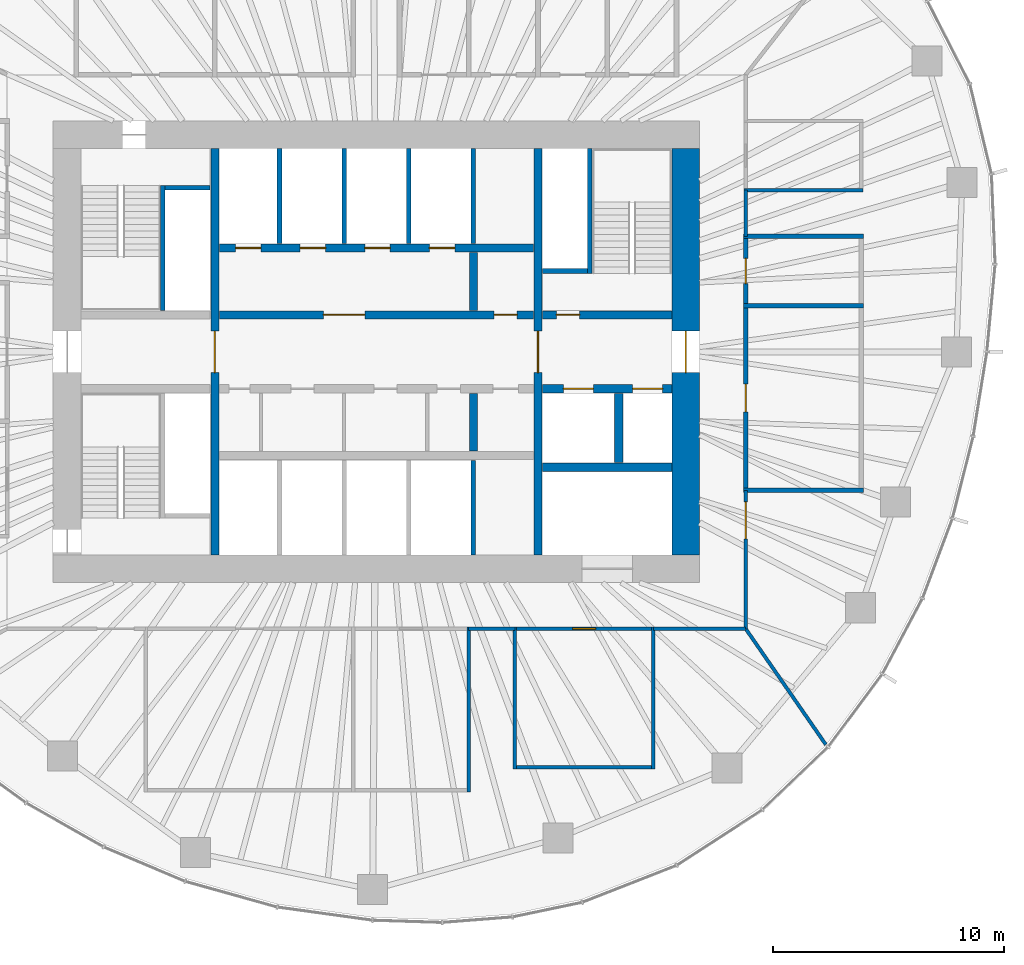
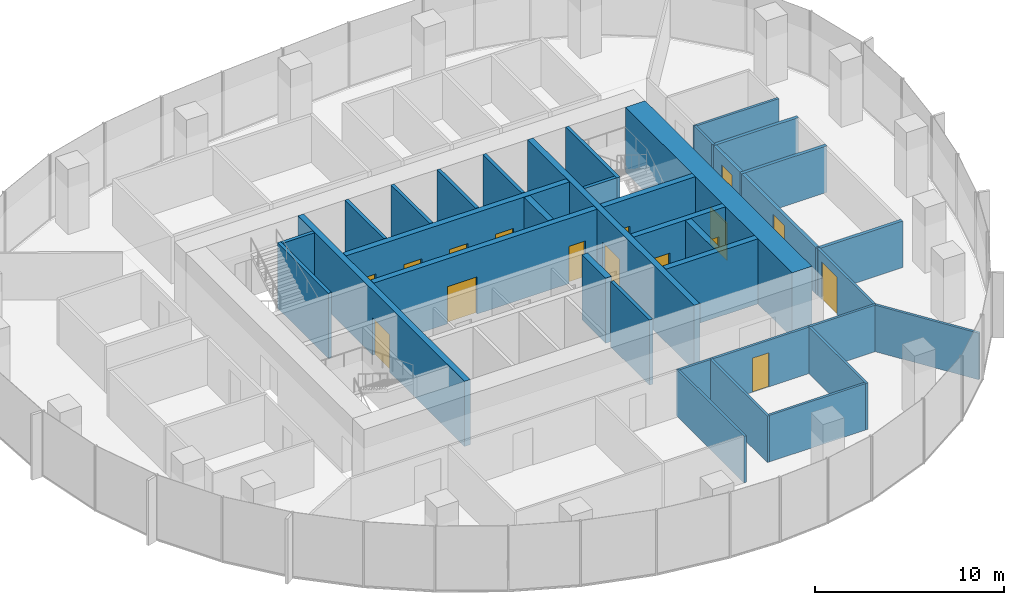
# One storey, part 9 of 11: 36 walls, 16 doors, 16 openings.
"""IFC4 building model written with IfcOpenShell, lengths in metres."""

from ifc_helpers import new_model, si_unit, direction, frame, frame_2d, origin, place, context, subcontext, project, spatial, rectangle, extrude, material, layer, layer_set, type_object, element, fill, save


model = new_model("IFC4")

# Units and contexts
model_context = context("Model", 3, precision=1e-05, world=origin(), true_north=direction((0.0, 1.0)))
body_context = subcontext(model_context, "Body", "Model", "MODEL_VIEW")
ifc_project = project(units=[si_unit("LENGTHUNIT", "METRE"), si_unit("AREAUNIT", "SQUARE_METRE"), si_unit("VOLUMEUNIT", "CUBIC_METRE"), si_unit("PLANEANGLEUNIT", "RADIAN"), si_unit("MASSUNIT", "GRAM", prefix="KILO")], contexts=[model_context])

# Site, building, storey
site_placement = place(None, origin())
site = spatial("IfcSite", under=ifc_project, at=site_placement, CompositionType="ELEMENT")
building_placement = place(site_placement, origin())
building = spatial("IfcBuilding", under=site, at=building_placement, Name="Ghaith Harvest Tower", CompositionType="ELEMENT")
storey_placement = place(building_placement, frame((0.0, 0.0, 220.0)))
storey = spatial("IfcBuildingStorey", under=building, at=storey_placement, Name="L48", CompositionType="ELEMENT", Elevation=220.0)

# Walls
ifc_material_1 = material(Name="Twin-stud gypsum board, acoustic", Category="gypsum")
ifc_layer_1 = layer(ifc_material_1, 0.199951171875)
ifc_layer_set_1 = layer_set([ifc_layer_1], Name="ACOUSTIC PARTITION 200")
wall_type_1 = type_object("IfcWallType", Name="ACOUSTIC PARTITION 200", PredefinedType="PARTITIONING", material=ifc_layer_set_1)
for number, where, z_axis, x_axis, name in (
    (1, (15.89990234375, -6.0, 0.0), (0.0, 0.0, 1.0), (1.0, 0.0, 0.0), "Partition L48 row E5 cross wall 1"),
    (2, (15.89990234375, 2.0, 0.0), (0.0, 0.0, 1.0), (1.0, 0.0, 0.0), "Partition L48 row E5 cross wall 2"),
    (3, (15.89990234375, 5.0, 0.0), (0.0, 0.0, 1.0), (1.0, 0.0, 0.0), "Partition L48 row E5 cross wall 3"),
):
    element("IfcWall", number, at=place(storey_placement, frame(where, z_axis=z_axis, x_axis=x_axis)), inside=storey, type_object=wall_type_1, Name=name, PredefinedType="PARTITIONING", context=body_context, shape_type="SweptSolid", body=[
        extrude(rectangle(XDim=5.2001953125, YDim=0.199951171875, at=frame_2d((2.60009765625, 0.0))), origin(), (0.0, 0.0, 1.0), 3.0),
    ])

# Wall, opening, door
wall_1_placement = place(storey_placement, frame((16.0, -5.89990234375, 0.0), z_axis=(0.0, 0.0, 1.0), x_axis=(0.0, 1.0, 0.0)))
wall_1 = element("IfcWall", 4, at=wall_1_placement, inside=storey, type_object=wall_type_1, Name="Partition L48-10", PredefinedType="PARTITIONING", context=body_context, shape_type="SweptSolid", body=[
    extrude(rectangle(XDim=7.7998046875, YDim=0.199951171875, at=frame_2d((3.89990234375, 0.0))), origin(), (0.0, 0.0, 1.0), 3.0),
])
opening_1_placement = place(wall_1_placement, frame((3.300048828125, 0.0, 0.0)))
opening_1 = element("IfcOpeningElement", 5, at=opening_1_placement, cuts=wall_1, Name="Opening 48-031", PredefinedType="OPENING", context=body_context, shape_type="SweptSolid", body=[
    extrude(rectangle(XDim=1.199951171875, YDim=2.39990234375, at=frame_2d((0.60009765625, 1.199951171875))), frame((0.0, 0.10986328125, 0.0), z_axis=(0.0, -1.0, 0.0), x_axis=(1.0, 0.0, 0.0)), (0.0, 0.0, 1.0), 0.219970703125),
])
ifc_material_2 = material(Name="Timber door", Category="wood")
door_type_1 = type_object("IfcDoorType", Name="D11 GLAZED 1200x2400", OperationType="SINGLE_SWING_LEFT", PredefinedType="DOOR", material=ifc_material_2)
door_1_placement = place(opening_1_placement, origin())
door_1 = element("IfcDoor", 6, at=door_1_placement, inside=storey, type_object=door_type_1, Name="Meeting room door", OperationType="SINGLE_SWING_LEFT", OverallHeight=2.39990234375, OverallWidth=1.199951171875, PredefinedType="DOOR", context=body_context, shape_type="SweptSolid", body=[
    extrude(rectangle(XDim=1.199951171875, YDim=2.39990234375, at=frame_2d((0.60009765625, 1.199951171875))), frame((0.0, 0.02490234375, 0.0), z_axis=(0.0, -1.0, 0.0), x_axis=(1.0, 0.0, 0.0)), (0.0, 0.0, 1.0), 0.050048828125),
])
fill(opening_1, door_1)

wall_2_placement = place(storey_placement, frame((16.0, 2.10009765625, 0.0), z_axis=(0.0, 0.0, 1.0), x_axis=(0.0, 1.0, 0.0)))
wall_2 = element("IfcWall", 7, at=wall_2_placement, inside=storey, type_object=wall_type_1, Name="Partition L48-11", PredefinedType="PARTITIONING", context=body_context, shape_type="SweptSolid", body=[
    extrude(rectangle(XDim=2.7998046875, YDim=0.199951171875, at=frame_2d((1.39990234375, 0.0))), origin(), (0.0, 0.0, 1.0), 3.0),
])
opening_2_placement = place(wall_2_placement, frame((0.85009765625, 0.0, 0.0)))
opening_2 = element("IfcOpeningElement", 8, at=opening_2_placement, cuts=wall_2, Name="Opening 48-032", PredefinedType="OPENING", context=body_context, shape_type="SweptSolid", body=[
    extrude(rectangle(XDim=1.10009765625, YDim=2.300048828125, at=frame_2d((0.550048828125, 1.14990234375))), frame((0.0, 0.10986328125, 0.0), z_axis=(0.0, -1.0, 0.0), x_axis=(1.0, 0.0, 0.0)), (0.0, 0.0, 1.0), 0.219970703125),
])
ifc_material_3 = material(Name="Timber-framed glazed door", Category="wood")
door_type_2 = type_object("IfcDoorType", Name="D12 GLAZED OFFICE 1100x2300", OperationType="SINGLE_SWING_LEFT", PredefinedType="DOOR", material=ifc_material_3)
door_2_placement = place(opening_2_placement, origin())
door_2 = element("IfcDoor", 9, at=door_2_placement, inside=storey, type_object=door_type_2, Name="Focus room door", OperationType="SINGLE_SWING_LEFT", OverallHeight=2.300048828125, OverallWidth=1.10009765625, PredefinedType="DOOR", context=body_context, shape_type="SweptSolid", body=[
    extrude(rectangle(XDim=1.10009765625, YDim=2.300048828125, at=frame_2d((0.550048828125, 1.14990234375))), frame((0.0, 0.02490234375, 0.0), z_axis=(0.0, -1.0, 0.0), x_axis=(1.0, 0.0, 0.0)), (0.0, 0.0, 1.0), 0.050048828125),
])
fill(opening_2, door_2)

ifc_material_4 = material(Name="Concrete C60/75", Category="concrete")
ifc_layer_2 = layer(ifc_material_4, 1.199951171875)
ifc_layer_set_2 = layer_set([ifc_layer_2], Name="CORE WALL CW1200 C60")
wall_type_2 = type_object("IfcWallType", Name="CORE WALL CW1200 C60", PredefinedType="SHEAR", material=ifc_layer_set_2)
wall_3_placement = place(storey_placement, frame((13.39990234375, -8.800048828125, 0.0), z_axis=(0.0, 0.0, 1.0), x_axis=(0.0, 1.0, 0.0)))
wall_3 = element("IfcWall", 10, at=wall_3_placement, inside=storey, type_object=wall_type_2, Name="Core wall E L48", PredefinedType="SHEAR", context=body_context, shape_type="SweptSolid", body=[
    extrude(rectangle(XDim=17.60009765625, YDim=1.199951171875, at=frame_2d((8.800048828125, 0.0))), origin(), (0.0, 0.0, 1.0), 4.199951171875),
])
opening_3_placement = place(wall_3_placement, frame((7.89990234375, 0.0, 0.0)))
opening_3 = element("IfcOpeningElement", 11, at=opening_3_placement, cuts=wall_3, Name="Opening 48-002", PredefinedType="OPENING", context=body_context, shape_type="SweptSolid", body=[
    extrude(rectangle(XDim=1.800048828125, YDim=2.39990234375, at=frame_2d((0.89990234375, 1.199951171875))), frame((0.0, 0.60986328125, 0.0), z_axis=(0.0, -1.0, 0.0), x_axis=(1.0, 0.0, 0.0)), (0.0, 0.0, 1.0), 1.219970703125),
])
ifc_material_5 = material(Name="Steel fire door", Category="steel")
door_type_3 = type_object("IfcDoorType", Name="D4 FD90 PAIR 1800x2400", OperationType="DOUBLE_DOOR_SINGLE_SWING", PredefinedType="DOOR", material=ifc_material_5)
door_3_placement = place(opening_3_placement, origin())
door_3 = element("IfcDoor", 12, at=door_3_placement, inside=storey, type_object=door_type_3, Name="Fire-fighting lobby doors", OperationType="DOUBLE_DOOR_SINGLE_SWING", OverallHeight=2.39990234375, OverallWidth=1.800048828125, PredefinedType="DOOR", context=body_context, shape_type="SweptSolid", body=[
    extrude(rectangle(XDim=1.800048828125, YDim=2.39990234375, at=frame_2d((0.89990234375, 1.199951171875))), frame((0.0, 0.02490234375, 0.0), z_axis=(0.0, -1.0, 0.0), x_axis=(1.0, 0.0, 0.0)), (0.0, 0.0, 1.0), 0.050048828125),
])
fill(opening_3, door_3)

# Walls
ifc_material_6 = material(Name="Concrete blockwork, 2-hour", Category="masonry")
ifc_layer_3 = layer(ifc_material_6, 0.199951171875)
ifc_layer_set_3 = layer_set([ifc_layer_3], Name="LIFT SHAFT WALL 200")
wall_type_3 = type_object("IfcWallType", Name="LIFT SHAFT WALL 200", PredefinedType="PARTITIONING", material=ifc_layer_set_3)
for number, where, z_axis, x_axis, name in (
    (13, (-4.199951171875, 4.699951171875, 0.0), (0.0, 0.0, 1.0), (0.0, 1.0, 0.0), "Lift shaft wall L48"),
    (14, (-1.39990234375, 4.699951171875, 0.0), (0.0, 0.0, 1.0), (0.0, 1.0, 0.0), "Lift shaft wall L48"),
    (15, (1.39990234375, 4.699951171875, 0.0), (0.0, 0.0, 1.0), (0.0, 1.0, 0.0), "Lift shaft wall L48"),
    (16, (4.199951171875, 4.699951171875, 0.0), (0.0, 0.0, 1.0), (0.0, 1.0, 0.0), "Lift shaft wall L48"),
    (17, (4.199951171875, -4.699951171875, 0.0), (0.0, 0.0, 1.0), (0.0, -1.0, 0.0), "Lift shaft wall L48"),
):
    element("IfcWall", number, at=place(storey_placement, frame(where, z_axis=z_axis, x_axis=x_axis)), inside=storey, type_object=wall_type_3, Name=name, PredefinedType="PARTITIONING", context=body_context, shape_type="SweptSolid", body=[
        extrude(rectangle(XDim=4.10009765625, YDim=0.199951171875, at=frame_2d((2.050048828125, 0.0))), origin(), (0.0, 0.0, 1.0), 4.199951171875),
    ])
ifc_material_7 = material(Name="Gypsum board on steel studs", Category="steel")
ifc_layer_4 = layer(ifc_material_7, 0.14990234375)
ifc_layer_set_4 = layer_set([ifc_layer_4], Name="PARTITION 150")
wall_type_4 = type_object("IfcWallType", Name="PARTITION 150", PredefinedType="PARTITIONING", material=ifc_layer_set_4)
wall_4_placement = place(storey_placement, frame((4.0, -11.925048828125, 0.0), z_axis=(0.0, 0.0, 1.0), x_axis=(0.0, -1.0, 0.0)))
element("IfcWall", 18, at=wall_4_placement, inside=storey, type_object=wall_type_4, Name="Partition L48 row S3 cross wall 3", PredefinedType="PARTITIONING", context=body_context, shape_type="SweptSolid", body=[
    extrude(rectangle(XDim=7.14990234375, YDim=0.14990234375, at=frame_2d((3.574951171875, 0.0))), origin(), (0.0, 0.0, 1.0), 3.0),
])
for number, where, z_axis, x_axis, name in (
    (19, (6.0, -11.925048828125, 0.0), (0.0, 0.0, 1.0), (0.0, -1.0, 0.0), "Partition L48 row S4 cross wall 1"),
    (20, (12.0, -11.925048828125, 0.0), (0.0, 0.0, 1.0), (0.0, -1.0, 0.0), "Partition L48 row S4 cross wall 2"),
):
    element("IfcWall", number, at=place(storey_placement, frame(where, z_axis=z_axis, x_axis=x_axis)), inside=storey, type_object=wall_type_4, Name=name, PredefinedType="PARTITIONING", context=body_context, shape_type="SweptSolid", body=[
        extrude(rectangle(XDim=6.14990234375, YDim=0.14990234375, at=frame_2d((3.074951171875, 0.0))), origin(), (0.0, 0.0, 1.0), 3.0),
    ])

# Wall, opening, door
wall_5_placement = place(storey_placement, frame((6.074951171875, -12.0, 0.0), z_axis=(0.0, 0.0, 1.0), x_axis=(1.0, 0.0, 0.0)))
wall_5 = element("IfcWall", 21, at=wall_5_placement, inside=storey, type_object=wall_type_4, Name="Partition L48-09", PredefinedType="PARTITIONING", context=body_context, shape_type="SweptSolid", body=[
    extrude(rectangle(XDim=5.85009765625, YDim=0.14990234375, at=frame_2d((2.925048828125, 0.0))), origin(), (0.0, 0.0, 1.0), 3.0),
])
opening_4_placement = place(wall_5_placement, frame((2.425048828125, 0.0, 0.0)))
opening_4 = element("IfcOpeningElement", 22, at=opening_4_placement, cuts=wall_5, Name="Opening 48-030", PredefinedType="OPENING", context=body_context, shape_type="SweptSolid", body=[
    extrude(rectangle(XDim=1.0, YDim=2.199951171875, at=frame_2d((0.5, 1.10009765625))), frame((0.0, 0.0849609375, 0.0), z_axis=(0.0, -1.0, 0.0), x_axis=(1.0, 0.0, 0.0)), (0.0, 0.0, 1.0), 0.169921875),
])
ifc_material_8 = material(Name="Timber door", Category="wood")
door_type_4 = type_object("IfcDoorType", Name="D1 SINGLE 1000x2200", OperationType="SINGLE_SWING_LEFT", PredefinedType="DOOR", material=ifc_material_8)
door_4_placement = place(opening_4_placement, origin())
door_4 = element("IfcDoor", 23, at=door_4_placement, inside=storey, type_object=door_type_4, Name="Pantry door", OperationType="SINGLE_SWING_LEFT", OverallHeight=2.199951171875, OverallWidth=1.0, PredefinedType="DOOR", context=body_context, shape_type="SweptSolid", body=[
    extrude(rectangle(XDim=1.0, YDim=2.199951171875, at=frame_2d((0.5, 1.10009765625))), frame((0.0, 0.02490234375, 0.0), z_axis=(0.0, -1.0, 0.0), x_axis=(1.0, 0.0, 0.0)), (0.0, 0.0, 1.0), 0.050048828125),
])
fill(opening_4, door_4)

# Walls
wall_6_placement = place(storey_placement, frame((6.074951171875, -18.0, 0.0), z_axis=(0.0, 0.0, 1.0), x_axis=(1.0, 0.0, 0.0)))
element("IfcWall", 24, at=wall_6_placement, inside=storey, type_object=wall_type_4, Name="Partition L48-09", PredefinedType="PARTITIONING", context=body_context, shape_type="SweptSolid", body=[
    extrude(rectangle(XDim=5.85009765625, YDim=0.14990234375, at=frame_2d((2.925048828125, 0.0))), origin(), (0.0, 0.0, 1.0), 3.0),
])
wall_7_placement = place(storey_placement, frame((15.925048828125, 7.0, 0.0), z_axis=(0.0, 0.0, 1.0), x_axis=(1.0, 0.0, 0.0)))
element("IfcWall", 25, at=wall_7_placement, inside=storey, type_object=wall_type_4, Name="Partition L48 row E7 cross wall 1", PredefinedType="PARTITIONING", context=body_context, shape_type="SweptSolid", body=[
    extrude(rectangle(XDim=5.14990234375, YDim=0.14990234375, at=frame_2d((2.574951171875, 0.0))), origin(), (0.0, 0.0, 1.0), 3.0),
])
wall_8_placement = place(storey_placement, frame((16.011474609375, -12.016357421875, 0.0), z_axis=(0.0, 0.0, 1.0), x_axis=(0.568863489071, -0.822431961199, 0.0)))
element("IfcWall", 26, at=wall_8_placement, inside=storey, type_object=wall_type_4, Name="Partition L48 zone division", PredefinedType="PARTITIONING", context=body_context, shape_type="SweptSolid", body=[
    extrude(rectangle(XDim=6.0830078125, YDim=0.14990234375, at=frame_2d((3.04150390625, 0.0))), origin(), (0.0, 0.0, 1.0), 3.0),
])

# Wall, opening, door
wall_9_placement = place(storey_placement, frame((16.0, -12.0, 0.0), z_axis=(0.0, 0.0, 1.0), x_axis=(0.0, 1.0, 0.0)))
wall_9 = element("IfcWall", 27, at=wall_9_placement, inside=storey, type_object=wall_type_4, Name="Partition L48 zone enclosure", PredefinedType="PARTITIONING", context=body_context, shape_type="SweptSolid", body=[
    extrude(rectangle(XDim=6.0, YDim=0.14990234375, at=frame_2d((3.0, 0.0))), origin(), (0.0, 0.0, 1.0), 3.0),
])
opening_5_placement = place(wall_9_placement, frame((3.89990234375, 0.0, 0.0)))
opening_5 = element("IfcOpeningElement", 28, at=opening_5_placement, cuts=wall_9, Name="Opening 48-037", PredefinedType="OPENING", context=body_context, shape_type="SweptSolid", body=[
    extrude(rectangle(XDim=1.60009765625, YDim=2.39990234375, at=frame_2d((0.800048828125, 1.199951171875))), frame((0.0, 0.0849609375, 0.0), z_axis=(0.0, -1.0, 0.0), x_axis=(1.0, 0.0, 0.0)), (0.0, 0.0, 1.0), 0.169921875),
])
ifc_material_9 = material(Name="Timber door", Category="wood")
door_type_5 = type_object("IfcDoorType", Name="D2 PAIR 1600x2400", OperationType="DOUBLE_DOOR_SINGLE_SWING", PredefinedType="DOOR", material=ifc_material_9)
door_5_placement = place(opening_5_placement, origin())
door_5 = element("IfcDoor", 29, at=door_5_placement, inside=storey, type_object=door_type_5, Name="Engineering studio east door", OperationType="DOUBLE_DOOR_SINGLE_SWING", OverallHeight=2.39990234375, OverallWidth=1.60009765625, PredefinedType="DOOR", context=body_context, shape_type="SweptSolid", body=[
    extrude(rectangle(XDim=1.60009765625, YDim=2.39990234375, at=frame_2d((0.800048828125, 1.199951171875))), frame((0.0, 0.02490234375, 0.0), z_axis=(0.0, -1.0, 0.0), x_axis=(1.0, 0.0, 0.0)), (0.0, 0.0, 1.0), 0.050048828125),
])
fill(opening_5, door_5)

# Walls
for number, where, z_axis, x_axis, name in (
    (30, (16.0, 5.0, 0.0), (0.0, 0.0, 1.0), (0.0, 1.0, 0.0), "Partition L48 zone enclosure"),
    (31, (4.0, -12.0, 0.0), (0.0, 0.0, 1.0), (1.0, 0.0, 0.0), "Partition L48 zone enclosure"),
):
    element("IfcWall", number, at=place(storey_placement, frame(where, z_axis=z_axis, x_axis=x_axis)), inside=storey, type_object=wall_type_4, Name=name, PredefinedType="PARTITIONING", context=body_context, shape_type="SweptSolid", body=[
        extrude(rectangle(XDim=2.0, YDim=0.14990234375, at=frame_2d((1.0, 0.0))), origin(), (0.0, 0.0, 1.0), 3.0),
    ])
wall_10_placement = place(storey_placement, frame((12.0, -12.0, 0.0), z_axis=(0.0, 0.0, 1.0), x_axis=(1.0, 0.0, 0.0)))
element("IfcWall", 32, at=wall_10_placement, inside=storey, type_object=wall_type_4, Name="Partition L48 zone enclosure", PredefinedType="PARTITIONING", context=body_context, shape_type="SweptSolid", body=[
    extrude(rectangle(XDim=4.0, YDim=0.14990234375, at=frame_2d((2.0, 0.0))), origin(), (0.0, 0.0, 1.0), 3.0),
])

# Wall, opening, door
ifc_material_10 = material(Name="Concrete C60/75", Category="concrete")
ifc_layer_5 = layer(ifc_material_10, 0.35009765625)
ifc_layer_set_5 = layer_set([ifc_layer_5], Name="SHAFT WALL 350")
wall_type_5 = type_object("IfcWallType", Name="SHAFT WALL 350", PredefinedType="SHEAR", material=ifc_layer_set_5)
wall_11_placement = place(storey_placement, frame((-7.0, -8.800048828125, 0.0), z_axis=(0.0, 0.0, 1.0), x_axis=(0.0, 1.0, 0.0)))
wall_11 = element("IfcWall", 33, at=wall_11_placement, inside=storey, type_object=wall_type_5, Name="Shaft wall W7W L48", PredefinedType="SHEAR", context=body_context, shape_type="SweptSolid", body=[
    extrude(rectangle(XDim=17.60009765625, YDim=0.35009765625, at=frame_2d((8.800048828125, 0.0))), origin(), (0.0, 0.0, 1.0), 4.199951171875),
])
opening_6_placement = place(wall_11_placement, frame((7.89990234375, 0.0, 0.0)))
opening_6 = element("IfcOpeningElement", 34, at=opening_6_placement, cuts=wall_11, Name="Opening 48-003", PredefinedType="OPENING", context=body_context, shape_type="SweptSolid", body=[
    extrude(rectangle(XDim=1.800048828125, YDim=2.39990234375, at=frame_2d((0.89990234375, 1.199951171875))), frame((0.0, 0.18505859375, 0.0), z_axis=(0.0, -1.0, 0.0), x_axis=(1.0, 0.0, 0.0)), (0.0, 0.0, 1.0), 0.3701171875),
])
door_6_placement = place(opening_6_placement, origin())
door_6 = element("IfcDoor", 35, at=door_6_placement, inside=storey, type_object=door_type_3, Name="Lift lobby doors, west", OperationType="DOUBLE_DOOR_SINGLE_SWING", OverallHeight=2.39990234375, OverallWidth=1.800048828125, PredefinedType="DOOR", context=body_context, shape_type="SweptSolid", body=[
    extrude(rectangle(XDim=1.800048828125, YDim=2.39990234375, at=frame_2d((0.89990234375, 1.199951171875))), frame((0.0, 0.02490234375, 0.0), z_axis=(0.0, -1.0, 0.0), x_axis=(1.0, 0.0, 0.0)), (0.0, 0.0, 1.0), 0.050048828125),
])
fill(opening_6, door_6)

wall_12_placement = place(storey_placement, frame((7.0, -8.800048828125, 0.0), z_axis=(0.0, 0.0, 1.0), x_axis=(0.0, 1.0, 0.0)))
wall_12 = element("IfcWall", 36, at=wall_12_placement, inside=storey, type_object=wall_type_5, Name="Shaft wall W7E L48", PredefinedType="SHEAR", context=body_context, shape_type="SweptSolid", body=[
    extrude(rectangle(XDim=17.60009765625, YDim=0.35009765625, at=frame_2d((8.800048828125, 0.0))), origin(), (0.0, 0.0, 1.0), 4.199951171875),
])
opening_7_placement = place(wall_12_placement, frame((7.89990234375, 0.0, 0.0)))
opening_7 = element("IfcOpeningElement", 37, at=opening_7_placement, cuts=wall_12, Name="Opening 48-004", PredefinedType="OPENING", context=body_context, shape_type="SweptSolid", body=[
    extrude(rectangle(XDim=1.800048828125, YDim=2.39990234375, at=frame_2d((0.89990234375, 1.199951171875))), frame((0.0, 0.18505859375, 0.0), z_axis=(0.0, -1.0, 0.0), x_axis=(1.0, 0.0, 0.0)), (0.0, 0.0, 1.0), 0.3701171875),
])
door_7_placement = place(opening_7_placement, origin())
door_7 = element("IfcDoor", 38, at=door_7_placement, inside=storey, type_object=door_type_3, Name="Lift lobby doors, east", OperationType="DOUBLE_DOOR_SINGLE_SWING", OverallHeight=2.39990234375, OverallWidth=1.800048828125, PredefinedType="DOOR", context=body_context, shape_type="SweptSolid", body=[
    extrude(rectangle(XDim=1.800048828125, YDim=2.39990234375, at=frame_2d((0.89990234375, 1.199951171875))), frame((0.0, 0.02490234375, 0.0), z_axis=(0.0, -1.0, 0.0), x_axis=(1.0, 0.0, 0.0)), (0.0, 0.0, 1.0), 0.050048828125),
])
fill(opening_7, door_7)

# Wall, openings, doors
wall_13_placement = place(storey_placement, frame((-6.800048828125, 1.60009765625, 0.0), z_axis=(0.0, 0.0, 1.0), x_axis=(1.0, 0.0, 0.0)))
wall_13 = element("IfcWall", 39, at=wall_13_placement, inside=storey, type_object=wall_type_5, Name="Shaft wall LN L48", PredefinedType="SHEAR", context=body_context, shape_type="SweptSolid", body=[
    extrude(rectangle(XDim=13.60009765625, YDim=0.35009765625, at=frame_2d((6.800048828125, 0.0))), origin(), (0.0, 0.0, 1.0), 4.199951171875),
])
opening_8_placement = place(wall_13_placement, frame((11.89990234375, 0.0, 0.0)))
opening_8 = element("IfcOpeningElement", 40, at=opening_8_placement, cuts=wall_13, Name="Opening 48-012", PredefinedType="OPENING", context=body_context, shape_type="SweptSolid", body=[
    extrude(rectangle(XDim=1.0, YDim=2.39990234375, at=frame_2d((0.5, 1.199951171875))), frame((0.0, 0.18505859375, 0.0), z_axis=(0.0, -1.0, 0.0), x_axis=(1.0, 0.0, 0.0)), (0.0, 0.0, 1.0), 0.3701171875),
])
opening_9_placement = place(wall_13_placement, frame((4.5, 0.0, 0.0)))
opening_9 = element("IfcOpeningElement", 41, at=opening_9_placement, cuts=wall_13, Name="Opening 48-014", PredefinedType="OPENING", context=body_context, shape_type="SweptSolid", body=[
    extrude(rectangle(XDim=1.800048828125, YDim=2.39990234375, at=frame_2d((0.89990234375, 1.199951171875))), frame((0.0, 0.18505859375, 0.0), z_axis=(0.0, -1.0, 0.0), x_axis=(1.0, 0.0, 0.0)), (0.0, 0.0, 1.0), 0.3701171875),
])
ifc_material_11 = material(Name="Steel fire door", Category="steel")
door_type_6 = type_object("IfcDoorType", Name="D3 FD90 1000x2400", OperationType="SINGLE_SWING_LEFT", PredefinedType="DOOR", material=ifc_material_11)
door_8_placement = place(opening_8_placement, origin())
door_8 = element("IfcDoor", 42, at=door_8_placement, inside=storey, type_object=door_type_6, Name="Electrical room door", OperationType="SINGLE_SWING_RIGHT", OverallHeight=2.39990234375, OverallWidth=1.0, PredefinedType="DOOR", context=body_context, shape_type="SweptSolid", body=[
    extrude(rectangle(XDim=1.0, YDim=2.39990234375, at=frame_2d((0.5, 1.199951171875))), frame((0.0, 0.02490234375, 0.0), z_axis=(0.0, -1.0, 0.0), x_axis=(1.0, 0.0, 0.0)), (0.0, 0.0, 1.0), 0.050048828125),
])
fill(opening_8, door_8)
door_9_placement = place(opening_9_placement, origin())
door_9 = element("IfcDoor", 43, at=door_9_placement, inside=storey, type_object=door_type_3, Name="Lift lobby doors, high-rise bank", OperationType="DOUBLE_DOOR_SINGLE_SWING", OverallHeight=2.39990234375, OverallWidth=1.800048828125, PredefinedType="DOOR", context=body_context, shape_type="SweptSolid", body=[
    extrude(rectangle(XDim=1.800048828125, YDim=2.39990234375, at=frame_2d((0.89990234375, 1.199951171875))), frame((0.0, 0.02490234375, 0.0), z_axis=(0.0, -1.0, 0.0), x_axis=(1.0, 0.0, 0.0)), (0.0, 0.0, 1.0), 0.050048828125),
])
fill(opening_9, door_9)

wall_14_placement = place(storey_placement, frame((-6.800048828125, 4.5, 0.0), z_axis=(0.0, 0.0, 1.0), x_axis=(1.0, 0.0, 0.0)))
wall_14 = element("IfcWall", 44, at=wall_14_placement, inside=storey, type_object=wall_type_5, Name="Shaft wall BN L48", PredefinedType="SHEAR", context=body_context, shape_type="SweptSolid", body=[
    extrude(rectangle(XDim=13.60009765625, YDim=0.35009765625, at=frame_2d((6.800048828125, 0.0))), origin(), (0.0, 0.0, 1.0), 4.199951171875),
])
opening_10_placement = place(wall_14_placement, frame((0.699951171875, 0.0, 0.0)))
opening_10 = element("IfcOpeningElement", 45, at=opening_10_placement, cuts=wall_14, Name="Opening 48-015", PredefinedType="OPENING", context=body_context, shape_type="SweptSolid", body=[
    extrude(rectangle(XDim=1.10009765625, YDim=2.39990234375, at=frame_2d((0.550048828125, 1.199951171875))), frame((0.0, 0.18505859375, 0.0), z_axis=(0.0, -1.0, 0.0), x_axis=(1.0, 0.0, 0.0)), (0.0, 0.0, 1.0), 0.3701171875),
])
opening_11_placement = place(wall_14_placement, frame((3.5, 0.0, 0.0)))
opening_11 = element("IfcOpeningElement", 46, at=opening_11_placement, cuts=wall_14, Name="Opening 48-016", PredefinedType="OPENING", context=body_context, shape_type="SweptSolid", body=[
    extrude(rectangle(XDim=1.10009765625, YDim=2.39990234375, at=frame_2d((0.550048828125, 1.199951171875))), frame((0.0, 0.18505859375, 0.0), z_axis=(0.0, -1.0, 0.0), x_axis=(1.0, 0.0, 0.0)), (0.0, 0.0, 1.0), 0.3701171875),
])
opening_12_placement = place(wall_14_placement, frame((6.300048828125, 0.0, 0.0)))
opening_12 = element("IfcOpeningElement", 47, at=opening_12_placement, cuts=wall_14, Name="Opening 48-017", PredefinedType="OPENING", context=body_context, shape_type="SweptSolid", body=[
    extrude(rectangle(XDim=1.10009765625, YDim=2.39990234375, at=frame_2d((0.550048828125, 1.199951171875))), frame((0.0, 0.18505859375, 0.0), z_axis=(0.0, -1.0, 0.0), x_axis=(1.0, 0.0, 0.0)), (0.0, 0.0, 1.0), 0.3701171875),
])
opening_13_placement = place(wall_14_placement, frame((9.10009765625, 0.0, 0.0)))
opening_13 = element("IfcOpeningElement", 48, at=opening_13_placement, cuts=wall_14, Name="Opening 48-018", PredefinedType="OPENING", context=body_context, shape_type="SweptSolid", body=[
    extrude(rectangle(XDim=1.10009765625, YDim=2.39990234375, at=frame_2d((0.550048828125, 1.199951171875))), frame((0.0, 0.18505859375, 0.0), z_axis=(0.0, -1.0, 0.0), x_axis=(1.0, 0.0, 0.0)), (0.0, 0.0, 1.0), 0.3701171875),
])
ifc_material_12 = material(Name="Steel fire door", Category="steel")
door_type_7 = type_object("IfcDoorType", Name="LD1 LANDING 1100x2400", OperationType="DOUBLE_DOOR_SLIDING", PredefinedType="DOOR", material=ifc_material_12)
door_10_placement = place(opening_10_placement, origin())
door_10 = element("IfcDoor", 49, at=door_10_placement, inside=storey, type_object=door_type_7, Name="Landing door, lift HR1", OperationType="DOUBLE_DOOR_SLIDING", OverallHeight=2.39990234375, OverallWidth=1.10009765625, PredefinedType="DOOR", context=body_context, shape_type="SweptSolid", body=[
    extrude(rectangle(XDim=1.10009765625, YDim=2.39990234375, at=frame_2d((0.550048828125, 1.199951171875))), frame((0.0, 0.02490234375, 0.0), z_axis=(0.0, -1.0, 0.0), x_axis=(1.0, 0.0, 0.0)), (0.0, 0.0, 1.0), 0.050048828125),
])
fill(opening_10, door_10)
door_11_placement = place(opening_11_placement, origin())
door_11 = element("IfcDoor", 50, at=door_11_placement, inside=storey, type_object=door_type_7, Name="Landing door, lift HR2", OperationType="DOUBLE_DOOR_SLIDING", OverallHeight=2.39990234375, OverallWidth=1.10009765625, PredefinedType="DOOR", context=body_context, shape_type="SweptSolid", body=[
    extrude(rectangle(XDim=1.10009765625, YDim=2.39990234375, at=frame_2d((0.550048828125, 1.199951171875))), frame((0.0, 0.02490234375, 0.0), z_axis=(0.0, -1.0, 0.0), x_axis=(1.0, 0.0, 0.0)), (0.0, 0.0, 1.0), 0.050048828125),
])
fill(opening_11, door_11)
door_12_placement = place(opening_12_placement, origin())
door_12 = element("IfcDoor", 51, at=door_12_placement, inside=storey, type_object=door_type_7, Name="Landing door, lift HR3", OperationType="DOUBLE_DOOR_SLIDING", OverallHeight=2.39990234375, OverallWidth=1.10009765625, PredefinedType="DOOR", context=body_context, shape_type="SweptSolid", body=[
    extrude(rectangle(XDim=1.10009765625, YDim=2.39990234375, at=frame_2d((0.550048828125, 1.199951171875))), frame((0.0, 0.02490234375, 0.0), z_axis=(0.0, -1.0, 0.0), x_axis=(1.0, 0.0, 0.0)), (0.0, 0.0, 1.0), 0.050048828125),
])
fill(opening_12, door_12)
door_13_placement = place(opening_13_placement, origin())
door_13 = element("IfcDoor", 52, at=door_13_placement, inside=storey, type_object=door_type_7, Name="Landing door, lift HR4", OperationType="DOUBLE_DOOR_SLIDING", OverallHeight=2.39990234375, OverallWidth=1.10009765625, PredefinedType="DOOR", context=body_context, shape_type="SweptSolid", body=[
    extrude(rectangle(XDim=1.10009765625, YDim=2.39990234375, at=frame_2d((0.550048828125, 1.199951171875))), frame((0.0, 0.02490234375, 0.0), z_axis=(0.0, -1.0, 0.0), x_axis=(1.0, 0.0, 0.0)), (0.0, 0.0, 1.0), 0.050048828125),
])
fill(opening_13, door_13)

# Wall, opening, door
wall_15_placement = place(storey_placement, frame((7.199951171875, 1.60009765625, 0.0), z_axis=(0.0, 0.0, 1.0), x_axis=(1.0, 0.0, 0.0)))
wall_15 = element("IfcWall", 53, at=wall_15_placement, inside=storey, type_object=wall_type_5, Name="Shaft wall EN L48", PredefinedType="SHEAR", context=body_context, shape_type="SweptSolid", body=[
    extrude(rectangle(XDim=5.60009765625, YDim=0.35009765625, at=frame_2d((2.800048828125, 0.0))), origin(), (0.0, 0.0, 1.0), 4.199951171875),
])
opening_14_placement = place(wall_15_placement, frame((0.60009765625, 0.0, 0.0)))
opening_14 = element("IfcOpeningElement", 54, at=opening_14_placement, cuts=wall_15, Name="Opening 48-007", PredefinedType="OPENING", context=body_context, shape_type="SweptSolid", body=[
    extrude(rectangle(XDim=1.0, YDim=2.39990234375, at=frame_2d((0.5, 1.199951171875))), frame((0.0, 0.18505859375, 0.0), z_axis=(0.0, -1.0, 0.0), x_axis=(1.0, 0.0, 0.0)), (0.0, 0.0, 1.0), 0.3701171875),
])
door_14_placement = place(opening_14_placement, origin())
door_14 = element("IfcDoor", 55, at=door_14_placement, inside=storey, type_object=door_type_6, Name="Stair ST2 door", OperationType="SINGLE_SWING_LEFT", OverallHeight=2.39990234375, OverallWidth=1.0, PredefinedType="DOOR", context=body_context, shape_type="SweptSolid", body=[
    extrude(rectangle(XDim=1.0, YDim=2.39990234375, at=frame_2d((0.5, 1.199951171875))), frame((0.0, 0.02490234375, 0.0), z_axis=(0.0, -1.0, 0.0), x_axis=(1.0, 0.0, 0.0)), (0.0, 0.0, 1.0), 0.050048828125),
])
fill(opening_14, door_14)

# Wall, openings, doors
wall_16_placement = place(storey_placement, frame((7.199951171875, -1.60009765625, 0.0), z_axis=(0.0, 0.0, 1.0), x_axis=(1.0, 0.0, 0.0)))
wall_16 = element("IfcWall", 56, at=wall_16_placement, inside=storey, type_object=wall_type_5, Name="Shaft wall ES L48", PredefinedType="SHEAR", context=body_context, shape_type="SweptSolid", body=[
    extrude(rectangle(XDim=5.60009765625, YDim=0.35009765625, at=frame_2d((2.800048828125, 0.0))), origin(), (0.0, 0.0, 1.0), 4.199951171875),
])
opening_15_placement = place(wall_16_placement, frame((0.89990234375, 0.0, 0.0)))
opening_15 = element("IfcOpeningElement", 57, at=opening_15_placement, cuts=wall_16, Name="Opening 48-019", PredefinedType="OPENING", context=body_context, shape_type="SweptSolid", body=[
    extrude(rectangle(XDim=1.300048828125, YDim=2.39990234375, at=frame_2d((0.64990234375, 1.199951171875))), frame((0.0, 0.18505859375, 0.0), z_axis=(0.0, -1.0, 0.0), x_axis=(1.0, 0.0, 0.0)), (0.0, 0.0, 1.0), 0.3701171875),
])
opening_16_placement = place(wall_16_placement, frame((3.89990234375, 0.0, 0.0)))
opening_16 = element("IfcOpeningElement", 58, at=opening_16_placement, cuts=wall_16, Name="Opening 48-020", PredefinedType="OPENING", context=body_context, shape_type="SweptSolid", body=[
    extrude(rectangle(XDim=1.300048828125, YDim=2.39990234375, at=frame_2d((0.64990234375, 1.199951171875))), frame((0.0, 0.18505859375, 0.0), z_axis=(0.0, -1.0, 0.0), x_axis=(1.0, 0.0, 0.0)), (0.0, 0.0, 1.0), 0.3701171875),
])
ifc_material_13 = material(Name="Steel fire door", Category="steel")
door_type_8 = type_object("IfcDoorType", Name="LD2 LANDING 1300x2400", OperationType="DOUBLE_DOOR_SLIDING", PredefinedType="DOOR", material=ifc_material_13)
door_15_placement = place(opening_15_placement, origin())
door_15 = element("IfcDoor", 59, at=door_15_placement, inside=storey, type_object=door_type_8, Name="Landing door, fire service lift FL1", OperationType="DOUBLE_DOOR_SLIDING", OverallHeight=2.39990234375, OverallWidth=1.300048828125, PredefinedType="DOOR", context=body_context, shape_type="SweptSolid", body=[
    extrude(rectangle(XDim=1.300048828125, YDim=2.39990234375, at=frame_2d((0.64990234375, 1.199951171875))), frame((0.0, 0.02490234375, 0.0), z_axis=(0.0, -1.0, 0.0), x_axis=(1.0, 0.0, 0.0)), (0.0, 0.0, 1.0), 0.050048828125),
])
fill(opening_15, door_15)
door_16_placement = place(opening_16_placement, origin())
door_16 = element("IfcDoor", 60, at=door_16_placement, inside=storey, type_object=door_type_8, Name="Landing door, fire service lift FL2", OperationType="DOUBLE_DOOR_SLIDING", OverallHeight=2.39990234375, OverallWidth=1.300048828125, PredefinedType="DOOR", context=body_context, shape_type="SweptSolid", body=[
    extrude(rectangle(XDim=1.300048828125, YDim=2.39990234375, at=frame_2d((0.64990234375, 1.199951171875))), frame((0.0, 0.02490234375, 0.0), z_axis=(0.0, -1.0, 0.0), x_axis=(1.0, 0.0, 0.0)), (0.0, 0.0, 1.0), 0.050048828125),
])
fill(opening_16, door_16)

# Walls
wall_17_placement = place(storey_placement, frame((10.5, -4.800048828125, 0.0), z_axis=(0.0, 0.0, 1.0), x_axis=(0.0, 1.0, 0.0)))
element("IfcWall", 61, at=wall_17_placement, inside=storey, type_object=wall_type_5, Name="Shaft wall FLD L48", PredefinedType="SHEAR", context=body_context, shape_type="SweptSolid", body=[
    extrude(rectangle(XDim=3.0, YDim=0.35009765625, at=frame_2d((1.5, 0.0))), origin(), (0.0, 0.0, 1.0), 4.199951171875),
])
wall_18_placement = place(storey_placement, frame((7.199951171875, -5.0, 0.0), z_axis=(0.0, 0.0, 1.0), x_axis=(1.0, 0.0, 0.0)))
element("IfcWall", 62, at=wall_18_placement, inside=storey, type_object=wall_type_5, Name="Shaft wall FLB L48", PredefinedType="SHEAR", context=body_context, shape_type="SweptSolid", body=[
    extrude(rectangle(XDim=5.60009765625, YDim=0.35009765625, at=frame_2d((2.800048828125, 0.0))), origin(), (0.0, 0.0, 1.0), 4.199951171875),
])
for number, where, z_axis, x_axis, name in (
    (63, (4.199951171875, 1.800048828125, 0.0), (0.0, 0.0, 1.0), (0.0, 1.0, 0.0), "Shaft wall DN4 L48"),
    (64, (4.199951171875, -4.300048828125, 0.0), (0.0, 0.0, 1.0), (0.0, 1.0, 0.0), "Shaft wall DS4 L48"),
):
    element("IfcWall", number, at=place(storey_placement, frame(where, z_axis=z_axis, x_axis=x_axis)), inside=storey, type_object=wall_type_5, Name=name, PredefinedType="SHEAR", context=body_context, shape_type="SweptSolid", body=[
        extrude(rectangle(XDim=2.5, YDim=0.35009765625, at=frame_2d((1.25, 0.0))), origin(), (0.0, 0.0, 1.0), 4.199951171875),
    ])
ifc_material_14 = material(Name="Concrete C40/50", Category="concrete")
ifc_layer_6 = layer(ifc_material_14, 0.199951171875)
ifc_layer_set_6 = layer_set([ifc_layer_6], Name="STAIR SPINE WALL RC200")
wall_type_6 = type_object("IfcWallType", Name="STAIR SPINE WALL RC200", PredefinedType="SOLIDWALL", material=ifc_layer_set_6)
wall_19_placement = place(storey_placement, frame((-9.25, 7.199951171875, 0.0), z_axis=(0.0, 0.0, 1.0), x_axis=(0.0, -1.0, 0.0)))
element("IfcWall", 65, at=wall_19_placement, inside=storey, type_object=wall_type_6, Name="Stair ST1 spine wall L48", PredefinedType="SOLIDWALL", context=body_context, shape_type="SweptSolid", body=[
    extrude(rectangle(XDim=5.39990234375, YDim=0.199951171875, at=frame_2d((2.699951171875, 0.0))), origin(), (0.0, 0.0, 1.0), 4.199951171875),
])
wall_20_placement = place(storey_placement, frame((-9.14990234375, 7.10009765625, 0.0), z_axis=(0.0, 0.0, 1.0), x_axis=(1.0, 0.0, 0.0)))
element("IfcWall", 66, at=wall_20_placement, inside=storey, type_object=wall_type_6, Name="Stair ST1 spine wall return L48", PredefinedType="SOLIDWALL", context=body_context, shape_type="SweptSolid", body=[
    extrude(rectangle(XDim=1.949951171875, YDim=0.199951171875, at=frame_2d((0.97509765625, 0.0))), origin(), (0.0, 0.0, 1.0), 4.199951171875),
])
wall_21_placement = place(storey_placement, frame((9.25, 3.39990234375, 0.0), z_axis=(0.0, 0.0, 1.0), x_axis=(0.0, 1.0, 0.0)))
element("IfcWall", 67, at=wall_21_placement, inside=storey, type_object=wall_type_6, Name="Stair ST2 spine wall L48", PredefinedType="SOLIDWALL", context=body_context, shape_type="SweptSolid", body=[
    extrude(rectangle(XDim=5.400146484375, YDim=0.199951171875, at=frame_2d((2.7001953125, 0.0))), origin(), (0.0, 0.0, 1.0), 4.199951171875),
])
wall_22_placement = place(storey_placement, frame((9.14990234375, 3.5, 0.0), z_axis=(0.0, 0.0, 1.0), x_axis=(-1.0, 0.0, 0.0)))
element("IfcWall", 68, at=wall_22_placement, inside=storey, type_object=wall_type_6, Name="Stair ST2 spine wall return L48", PredefinedType="SOLIDWALL", context=body_context, shape_type="SweptSolid", body=[
    extrude(rectangle(XDim=1.949951171875, YDim=0.199951171875, at=frame_2d((0.97509765625, 0.0))), origin(), (0.0, 0.0, 1.0), 4.199951171875),
])

save(model, "model.ifc")
